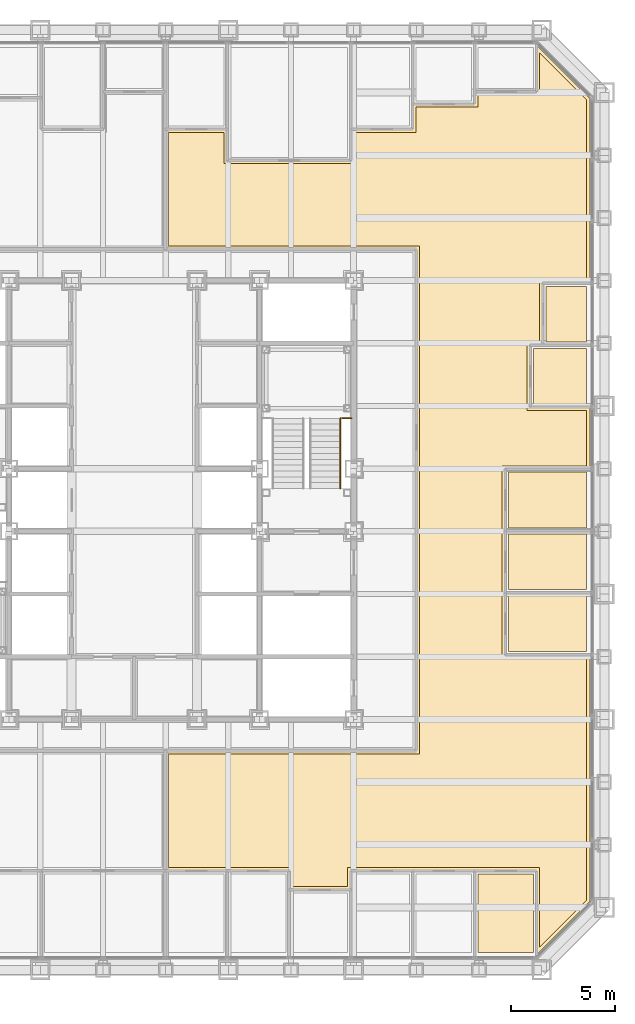
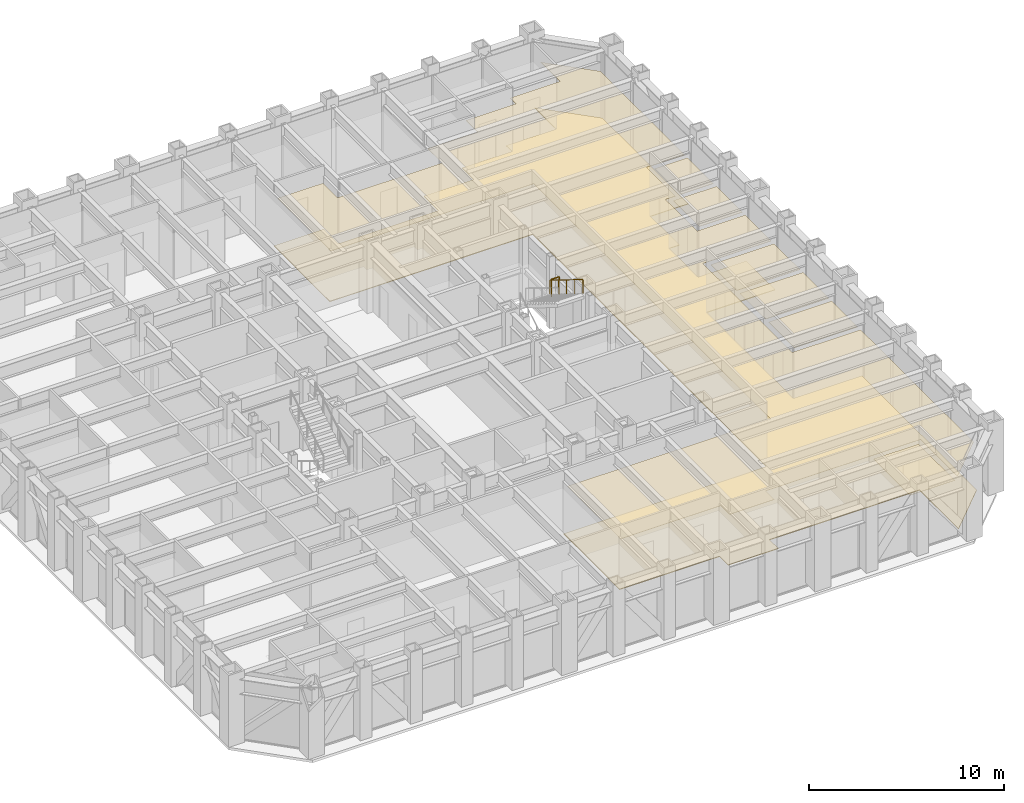
# One storey, part 15 of 16: 8 coverings, 2 railings.
"""IFC4 building model written with IfcOpenShell, lengths in metres."""

from ifc_helpers import new_model, si_unit, direction, frame, origin, origin_2d, place, context, subcontext, project, spatial, polyline, circle, outline, extrude, material, layer, layer_set, type_object, element, save


model = new_model("IFC4")

# Units and contexts
model_context = context("Model", 3, precision=1e-05, world=origin(), true_north=direction((0.0, 1.0)))
body_context = subcontext(model_context, "Body", "Model", "MODEL_VIEW")
ifc_project = project(units=[si_unit("LENGTHUNIT", "METRE"), si_unit("AREAUNIT", "SQUARE_METRE"), si_unit("VOLUMEUNIT", "CUBIC_METRE"), si_unit("PLANEANGLEUNIT", "RADIAN"), si_unit("MASSUNIT", "GRAM", prefix="KILO")], contexts=[model_context])

# Site, building, storey
site_placement = place(None, origin())
site = spatial("IfcSite", under=ifc_project, at=site_placement, CompositionType="ELEMENT")
building_placement = place(site_placement, origin())
building = spatial("IfcBuilding", under=site, at=building_placement, Name="Chuquiago Exchange Tower", CompositionType="ELEMENT")
storey_placement = place(building_placement, frame((0.0, 0.0, 55.800048828125)))
storey = spatial("IfcBuildingStorey", under=building, at=storey_placement, Name="L11", CompositionType="ELEMENT", Elevation=55.800048828125)

# Coverings
ifc_material_1 = material(Name="Mineral fibre tile, 600 x 600, on pale metal grid", Category="mineral fibre")
ifc_layer_1 = layer(ifc_material_1, 0.02001953125)
ifc_layer_set_1 = layer_set([ifc_layer_1], Name="CL1 suspended tile ceiling 20")
covering_type_1 = type_object("IfcCoveringType", Name="CL1 suspended tile ceiling 20", PredefinedType="CEILING", material=ifc_layer_set_1)
covering_1_placement = place(storey_placement, frame((0.0, 0.0, 3.0)))
element("IfcCovering", 1, at=covering_1_placement, inside=storey, type_object=covering_type_1, Name="Ceiling Meeting room", PredefinedType="CEILING", context=body_context, shape_type="SweptSolid", body=[
    extrude(outline(polyline([(38.939697265625, 0.85009765625), (38.939697265625, 4.60009765625), (41.6015625, 4.60009765625), (41.6015625, 0.85009765625), (38.939697265625, 0.85009765625)])), origin(), (0.0, 0.0, 1.0), 0.02001953125),
])
covering_2_placement = place(storey_placement, frame((0.0, 0.0, 3.0)))
element("IfcCovering", 2, at=covering_2_placement, inside=storey, type_object=covering_type_1, Name="Ceiling Office", PredefinedType="CEILING", context=body_context, shape_type="SweptSolid", body=[
    extrude(outline(polyline([(40.39990234375, 15.24560546875), (40.39990234375, 17.907470703125), (44.14990234375, 17.907470703125), (44.14990234375, 15.24560546875), (40.39990234375, 15.24560546875)])), origin(), (0.0, 0.0, 1.0), 0.02001953125),
])
covering_3_placement = place(storey_placement, frame((0.0, 0.0, 3.0)))
element("IfcCovering", 3, at=covering_3_placement, inside=storey, type_object=covering_type_1, Name="Ceiling Office", PredefinedType="CEILING", context=body_context, shape_type="SweptSolid", body=[
    extrude(outline(polyline([(40.39990234375, 18.20751953125), (40.39990234375, 20.869140625), (44.14990234375, 20.869140625), (44.14990234375, 18.20751953125), (40.39990234375, 18.20751953125)])), origin(), (0.0, 0.0, 1.0), 0.02001953125),
])
covering_4_placement = place(storey_placement, frame((0.0, 0.0, 3.0)))
element("IfcCovering", 4, at=covering_4_placement, inside=storey, type_object=covering_type_1, Name="Ceiling Office", PredefinedType="CEILING", context=body_context, shape_type="SweptSolid", body=[
    extrude(outline(polyline([(40.39990234375, 21.169189453125), (40.39990234375, 23.830810546875), (44.14990234375, 23.830810546875), (44.14990234375, 21.169189453125), (40.39990234375, 21.169189453125)])), origin(), (0.0, 0.0, 1.0), 0.02001953125),
])
covering_5_placement = place(storey_placement, frame((0.0, 0.0, 3.0)))
element("IfcCovering", 5, at=covering_5_placement, inside=storey, type_object=covering_type_1, Name="Ceiling Pantry", PredefinedType="CEILING", context=body_context, shape_type="SweptSolid", body=[
    extrude(outline(polyline([(41.60009765625, 27.092529296875), (41.60009765625, 29.75439453125), (44.14990234375, 29.75439453125), (44.14990234375, 27.092529296875), (41.60009765625, 27.092529296875)])), origin(), (0.0, 0.0, 1.0), 0.02001953125),
])
covering_6_placement = place(storey_placement, frame((0.0, 0.0, 3.0)))
element("IfcCovering", 6, at=covering_6_placement, inside=storey, type_object=covering_type_1, Name="Ceiling Focus room", PredefinedType="CEILING", context=body_context, shape_type="SweptSolid", body=[
    extrude(outline(polyline([(42.199951171875, 30.054443359375), (42.199951171875, 32.71630859375), (44.14990234375, 32.71630859375), (44.14990234375, 30.054443359375), (42.199951171875, 30.054443359375)])), origin(), (0.0, 0.0, 1.0), 0.02001953125),
])
covering_7_placement = place(storey_placement, frame((0.0, 0.0, 3.0)))
element("IfcCovering", 7, at=covering_7_placement, inside=storey, type_object=covering_type_1, Name="Ceiling Trading floor east suite", PredefinedType="CEILING", context=body_context, shape_type="SweptSolid", body=[
    extrude(outline(polyline([(26.79248046875, 38.60009765625), (33.01611328125, 38.60009765625), (33.01611328125, 40.10009765625), (35.977783203125, 40.10009765625), (35.977783203125, 41.300048828125), (38.939697265625, 41.300048828125), (38.939697265625, 41.89990234375), (41.901611328125, 41.89990234375), (41.901611328125, 43.896484375), (44.14990234375, 41.64794921875), (44.14990234375, 33.01611328125), (41.89990234375, 33.01611328125), (41.89990234375, 30.054443359375), (41.300048828125, 30.054443359375), (41.300048828125, 26.79248046875), (44.14990234375, 26.79248046875), (44.14990234375, 24.130859375), (40.10009765625, 24.130859375), (40.10009765625, 14.945556640625), (44.14990234375, 14.945556640625), (44.14990234375, 3.35205078125), (41.901611328125, 1.103515625), (41.901611328125, 4.89990234375), (32.71630859375, 4.89990234375), (32.71630859375, 4.0), (30.054443359375, 4.0), (30.054443359375, 4.89990234375), (24.13134765625, 4.89990234375), (24.13134765625, 10.349609375), (36.150390625, 10.35009765625), (36.150390625, 34.650146484375), (24.13134765625, 34.650390625), (24.13134765625, 40.10009765625), (26.79248046875, 40.10009765625), (26.79248046875, 38.60009765625)])), origin(), (0.0, 0.0, 1.0), 0.02001953125),
])

# Railings
ifc_material_2 = material(Name="Pale metal guard with safety glass infill", Category="glass")
railing_type_1 = type_object("IfcRailingType", Name="GR1 guard 1100", PredefinedType="GUARDRAIL", material=ifc_material_2)
railing_1_placement = place(storey_placement, frame((32.445068359375, 26.409912109375, 2.25)))
element("IfcRailing", 8, at=railing_1_placement, inside=storey, type_object=railing_type_1, Name="Guard ST2 L11 landing 2", PredefinedType="GUARDRAIL", context=body_context, shape_type="SweptSolid", body=[
    extrude(circle(Radius=0.02392578125, at=origin_2d()), frame((0.0, 0.0, 1.076171875), z_axis=(1.0, 0.0, 0.0), x_axis=(0.0, 1.0, 0.0)), (0.0, 0.0, 1.0), 0.454833984375),
    extrude(circle(Radius=0.02099609375, at=origin_2d()), origin(), (0.0, 0.0, 1.0), 1.052001953125),
    extrude(circle(Radius=0.02099609375, at=origin_2d()), frame((0.454833984375, 0.0, 0.0)), (0.0, 0.0, 1.0), 1.052001953125),
])
ifc_material_3 = material(Name="Pale metal handrail", Category="steel")
railing_type_2 = type_object("IfcRailingType", Name="HR1 handrail 900", PredefinedType="HANDRAIL", material=ifc_material_3)
railing_2_placement = place(storey_placement, frame((32.364990234375, 26.409912109375, 2.423095703125)))
element("IfcRailing", 9, at=railing_2_placement, inside=storey, type_object=railing_type_2, Name="Handrail ST2 L11 flight 2", PredefinedType="HANDRAIL", context=body_context, shape_type="SweptSolid", body=[
    extrude(circle(Radius=0.02392578125, at=origin_2d()), frame((0.0, 0.0, 0.8759765625), z_axis=(0.0, -0.850606129759, 0.525803396734), x_axis=(1.0, 0.0, 0.0)), (0.0, 0.0, 1.0), 3.949951171875),
    extrude(circle(Radius=0.02099609375, at=origin_2d()), origin(), (0.0, 0.0, 1.0), 0.851806640625),
    extrude(circle(Radius=0.02099609375, at=origin_2d()), frame((0.0, -0.83984375, 0.519287109375)), (0.0, 0.0, 1.0), 0.851806640625),
    extrude(circle(Radius=0.02099609375, at=origin_2d()), frame((0.0, -1.679931640625, 1.03857421875)), (0.0, 0.0, 1.0), 0.851806640625),
    extrude(circle(Radius=0.02099609375, at=origin_2d()), frame((0.0, -2.52001953125, 1.5576171875)), (0.0, 0.0, 1.0), 0.851806640625),
    extrude(circle(Radius=0.02099609375, at=origin_2d()), frame((0.0, -3.35986328125, 2.076904296875)), (0.0, 0.0, 1.0), 0.851806640625),
])

# Covering
ifc_material_4 = material(Name="Steel raised floor panel", Category="steel")
ifc_layer_2 = layer(ifc_material_4, 0.0400390625)
ifc_layer_set_2 = layer_set([ifc_layer_2], Name="RF1 raised access floor 40")
covering_type_2 = type_object("IfcCoveringType", Name="RF1 raised access floor 40", PredefinedType="FLOORING", material=ifc_layer_set_2)
covering_8_placement = place(storey_placement, frame((0.0, 0.0, -0.0400390625)))
element("IfcCovering", 10, at=covering_8_placement, inside=storey, type_object=covering_type_2, Name="Raised access floor Trading floor east suite", PredefinedType="FLOORING", context=body_context, shape_type="SweptSolid", body=[
    extrude(outline(polyline([(26.942626953125, 40.25), (26.942626953125, 38.75), (32.8662109375, 38.75), (32.8662109375, 40.25), (35.827880859375, 40.25), (35.827880859375, 41.449951171875), (38.789794921875, 41.449951171875), (38.789794921875, 42.050048828125), (41.75146484375, 42.050048828125), (41.75146484375, 44.258544921875), (44.300048828125, 41.710205078125), (44.300048828125, 32.8662109375), (42.050048828125, 32.8662109375), (42.050048828125, 29.904296875), (41.449951171875, 29.904296875), (41.449951171875, 26.942626953125), (44.300048828125, 26.942626953125), (44.300048828125, 23.98095703125), (40.25, 23.98095703125), (40.25, 15.095703125), (44.300048828125, 15.095703125), (44.300048828125, 3.289794921875), (41.75146484375, 0.741455078125), (41.75146484375, 4.75), (32.8662109375, 4.75), (32.8662109375, 3.85009765625), (29.904296875, 3.85009765625), (29.904296875, 4.75), (23.9814453125, 4.75), (23.9814453125, 10.49951171875), (36.00048828125, 10.5), (36.00048828125, 34.5), (23.9814453125, 34.50048828125), (23.9814453125, 40.25), (26.942626953125, 40.25)])), origin(), (0.0, 0.0, 1.0), 0.0400390625),
])

save(model, "model.ifc")
